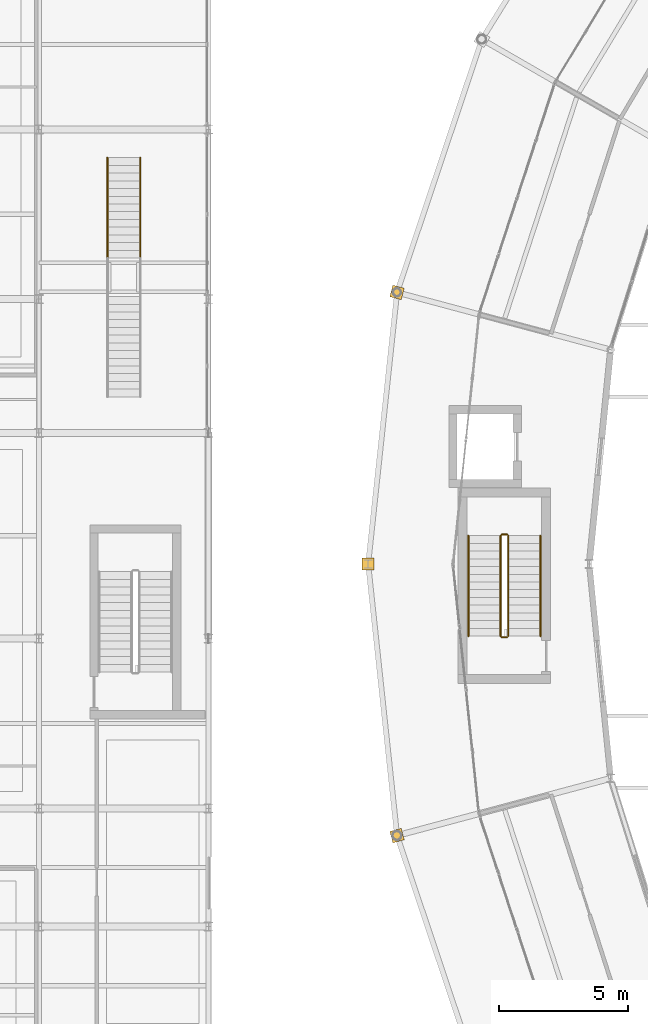
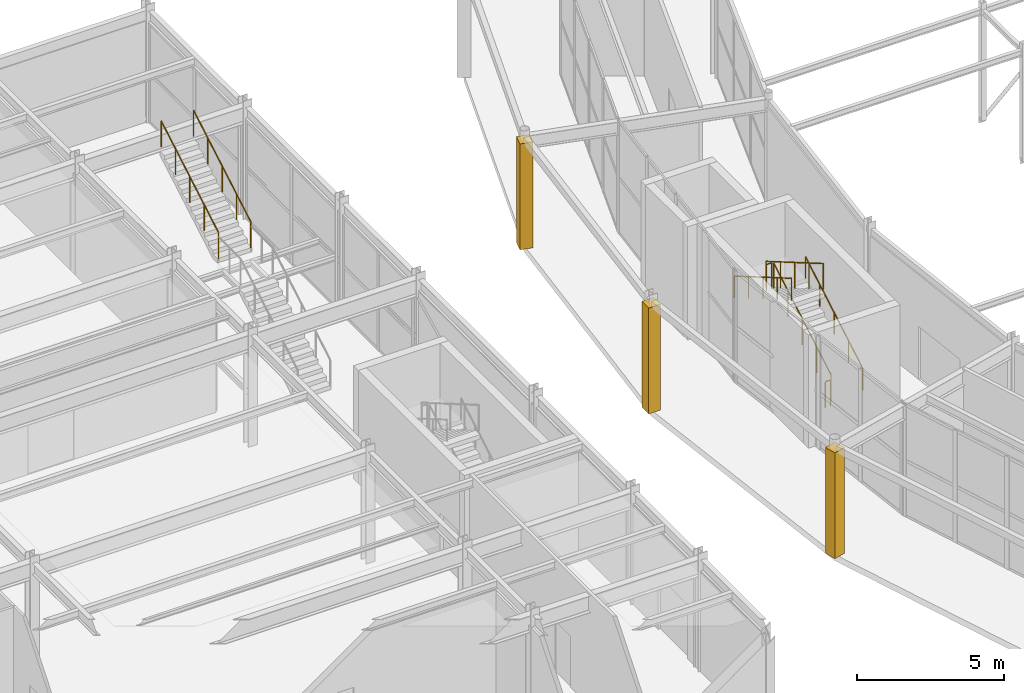
# One storey, part 136 of 144: 8 railings, 3 coverings.
"""IFC4 building model written with IfcOpenShell, lengths in metres."""

from ifc_helpers import new_model, si_unit, direction, frame, origin, origin_2d, place, context, subcontext, project, spatial, rectangle, circle, extrude, material, layer, layer_set, type_object, element, save


model = new_model("IFC4")

# Units and contexts
model_context = context("Model", 3, precision=1e-05, world=origin(), true_north=direction((0.0, 1.0)))
body_context = subcontext(model_context, "Body", "Model", "MODEL_VIEW")
ifc_project = project(units=[si_unit("LENGTHUNIT", "METRE"), si_unit("AREAUNIT", "SQUARE_METRE"), si_unit("VOLUMEUNIT", "CUBIC_METRE"), si_unit("PLANEANGLEUNIT", "RADIAN"), si_unit("MASSUNIT", "GRAM", prefix="KILO")], contexts=[model_context])

# Site, building, storey
site_placement = place(None, origin())
site = spatial("IfcSite", under=ifc_project, at=site_placement, CompositionType="ELEMENT")
building_placement = place(site_placement, origin())
building = spatial("IfcBuilding", under=site, at=building_placement, Name="Karori Crest Natural Sciences Institute", CompositionType="ELEMENT")
storey_placement = place(building_placement, origin())
storey = spatial("IfcBuildingStorey", under=building, at=storey_placement, Name="L00", CompositionType="ELEMENT", Elevation=0.0)

# Coverings
ifc_material_1 = material(Name="Glulam GL10 architectural column casing", Category="wood")
ifc_layer = layer(ifc_material_1, 0.044921875, Name="Glulam GL10 architectural column casing")
ifc_layer_set = layer_set([ifc_layer], Name="Glulam GL10 architectural column casing")
covering_type = type_object("IfcCoveringType", Name="CVT-GL10", PredefinedType="CLADDING", material=ifc_layer_set)
for number, where, z_axis, x_axis, name in (
    (1, (34.5244140625, 60.459716796875, 0.050048828125), (0.0, 0.0, 1.0), (-0.965925826289, 0.258819045103, 0.0), "Glulam GL10 column casing CL-0012"),
    (2, (33.39990234375, 49.89990234375, 0.050048828125), (0.0, 0.0, 1.0), (-1.0, 0.0, 0.0), "Glulam GL10 column casing CL-0013"),
    (3, (34.5244140625, 39.340087890625, 0.050048828125), (0.0, 0.0, 1.0), (-0.965925826289, -0.258819045103, 0.0), "Glulam GL10 column casing CL-0014"),
):
    element("IfcCovering", number, at=place(storey_placement, frame(where, z_axis=z_axis, x_axis=x_axis)), inside=storey, type_object=covering_type, Name=name, PredefinedType="CLADDING", context=body_context, shape_type="SweptSolid", body=[
        extrude(rectangle(XDim=0.4599609375, YDim=0.4599609375, at=origin_2d()), origin(), (0.0, 0.0, 1.0), 4.39990234375),
    ])

# Railings
ifc_material_2 = material(Name="Stainless steel 316 tubular handrail", Category="steel")
railing_type_1 = type_object("IfcRailingType", Name="RLT-HND", PredefinedType="HANDRAIL", material=ifc_material_2)
railing_1_placement = place(storey_placement, frame((40.10009765625, 47.10009765625, 0.175048828125)))
element("IfcRailing", 4, at=railing_1_placement, inside=storey, type_object=railing_type_1, Name="Stair handrail RL-0060", PredefinedType="HANDRAIL", context=body_context, shape_type="SweptSolid", body=[
    extrude(circle(Radius=0.02392578125, at=origin_2d()), frame((0.0, 0.0, 0.90087890625), z_axis=(0.0, 0.86378282336, 0.503864301244), x_axis=(-1.0, 0.0, 0.0)), (0.0, 0.0, 1.0), 4.514892578125),
    extrude(circle(Radius=0.02099609375, at=origin_2d()), origin(), (0.0, 0.0, 1.0), 0.876953125),
    extrude(circle(Radius=0.02099609375, at=origin_2d()), frame((0.0, 0.97509765625, 0.56884765625)), (0.0, 0.0, 1.0), 0.876953125),
    extrude(circle(Radius=0.02099609375, at=origin_2d()), frame((0.0, 1.949951171875, 1.137451171875)), (0.0, 0.0, 1.0), 0.876953125),
    extrude(circle(Radius=0.02099609375, at=origin_2d()), frame((0.0, 2.9248046875, 1.7060546875)), (0.0, 0.0, 1.0), 0.876953125),
    extrude(circle(Radius=0.02099609375, at=origin_2d()), frame((0.0, 3.89990234375, 2.27490234375)), (0.0, 0.0, 1.0), 0.876953125),
])
railing_2_placement = place(storey_placement, frame((37.300048828125, 51.0, 2.625)))
element("IfcRailing", 5, at=railing_2_placement, inside=storey, type_object=railing_type_1, Name="Stair handrail RL-0061", PredefinedType="HANDRAIL", context=body_context, shape_type="SweptSolid", body=[
    extrude(circle(Radius=0.02392578125, at=origin_2d()), frame((0.0, 0.0, 0.90087890625), z_axis=(0.0, -0.86378282336, 0.503864301244), x_axis=(1.0, 0.0, 0.0)), (0.0, 0.0, 1.0), 4.514892578125),
    extrude(circle(Radius=0.02099609375, at=origin_2d()), origin(), (0.0, 0.0, 1.0), 0.876953125),
    extrude(circle(Radius=0.02099609375, at=origin_2d()), frame((0.0, -0.97509765625, 0.56884765625)), (0.0, 0.0, 1.0), 0.876953125),
    extrude(circle(Radius=0.02099609375, at=origin_2d()), frame((0.0, -1.949951171875, 1.137451171875)), (0.0, 0.0, 1.0), 0.876953125),
    extrude(circle(Radius=0.02099609375, at=origin_2d()), frame((0.0, -2.9248046875, 1.7060546875)), (0.0, 0.0, 1.0), 0.876953125),
    extrude(circle(Radius=0.02099609375, at=origin_2d()), frame((0.0, -3.89990234375, 2.27490234375)), (0.0, 0.0, 1.0), 0.876953125),
])
ifc_material_3 = material(Name="Stainless steel 316 stair guard", Category="steel")
railing_type_2 = type_object("IfcRailingType", Name="RLT-STG", PredefinedType="GUARDRAIL", material=ifc_material_3)
railing_3_placement = place(storey_placement, frame((38.85009765625, 47.10009765625, 0.175048828125)))
element("IfcRailing", 6, at=railing_3_placement, inside=storey, type_object=railing_type_2, Name="Stair guard RL-0056", PredefinedType="GUARDRAIL", context=body_context, shape_type="SweptSolid", body=[
    extrude(circle(Radius=0.02392578125, at=origin_2d()), frame((0.0, 0.0, 1.076171875), z_axis=(0.0, 0.86378282336, 0.503864301244), x_axis=(-1.0, 0.0, 0.0)), (0.0, 0.0, 1.0), 4.514892578125),
    extrude(circle(Radius=0.02099609375, at=origin_2d()), origin(), (0.0, 0.0, 1.0), 1.052001953125),
    extrude(circle(Radius=0.02099609375, at=origin_2d()), frame((0.0, 0.97509765625, 0.56884765625)), (0.0, 0.0, 1.0), 1.052001953125),
    extrude(circle(Radius=0.02099609375, at=origin_2d()), frame((0.0, 1.949951171875, 1.137451171875)), (0.0, 0.0, 1.0), 1.052001953125),
    extrude(circle(Radius=0.02099609375, at=origin_2d()), frame((0.0, 2.9248046875, 1.7060546875)), (0.0, 0.0, 1.0), 1.052001953125),
    extrude(circle(Radius=0.02099609375, at=origin_2d()), frame((0.0, 3.89990234375, 2.27490234375)), (0.0, 0.0, 1.0), 1.052001953125),
])
railing_4_placement = place(storey_placement, frame((38.800048828125, 51.050048828125, 2.449951171875)))
element("IfcRailing", 7, at=railing_4_placement, inside=storey, type_object=railing_type_2, Name="Stair guard RL-0057", PredefinedType="GUARDRAIL", context=body_context, shape_type="SweptSolid", body=[
    extrude(circle(Radius=0.02392578125, at=origin_2d()), frame((0.0, 0.0, 1.076171875), z_axis=(-1.0, 0.0, 0.0), x_axis=(0.0, -1.0, 0.0)), (0.0, 0.0, 1.0), 0.199951171875),
    extrude(circle(Radius=0.02099609375, at=origin_2d()), origin(), (0.0, 0.0, 1.0), 1.052001953125),
    extrude(circle(Radius=0.02099609375, at=origin_2d()), frame((-0.199951171875, 0.0, 0.0)), (0.0, 0.0, 1.0), 1.052001953125),
])
railing_5_placement = place(storey_placement, frame((38.550048828125, 51.0, 2.625)))
element("IfcRailing", 8, at=railing_5_placement, inside=storey, type_object=railing_type_2, Name="Stair guard RL-0058", PredefinedType="GUARDRAIL", context=body_context, shape_type="SweptSolid", body=[
    extrude(circle(Radius=0.02392578125, at=origin_2d()), frame((0.0, 0.0, 1.076171875), z_axis=(0.0, -0.86378282336, 0.503864301244), x_axis=(1.0, 0.0, 0.0)), (0.0, 0.0, 1.0), 4.514892578125),
    extrude(circle(Radius=0.02099609375, at=origin_2d()), origin(), (0.0, 0.0, 1.0), 1.052001953125),
    extrude(circle(Radius=0.02099609375, at=origin_2d()), frame((0.0, -0.97509765625, 0.56884765625)), (0.0, 0.0, 1.0), 1.052001953125),
    extrude(circle(Radius=0.02099609375, at=origin_2d()), frame((0.0, -1.949951171875, 1.137451171875)), (0.0, 0.0, 1.0), 1.052001953125),
    extrude(circle(Radius=0.02099609375, at=origin_2d()), frame((0.0, -2.9248046875, 1.7060546875)), (0.0, 0.0, 1.0), 1.052001953125),
    extrude(circle(Radius=0.02099609375, at=origin_2d()), frame((0.0, -3.89990234375, 2.27490234375)), (0.0, 0.0, 1.0), 1.052001953125),
])
railing_6_placement = place(storey_placement, frame((38.800048828125, 47.050048828125, 0.0)))
element("IfcRailing", 9, at=railing_6_placement, inside=storey, type_object=railing_type_2, Name="Stair guard RL-0059", PredefinedType="GUARDRAIL", context=body_context, shape_type="SweptSolid", body=[
    extrude(circle(Radius=0.02392578125, at=origin_2d()), frame((0.0, 0.0, 1.076171875), z_axis=(-1.0, 0.0, 0.0), x_axis=(0.0, -1.0, 0.0)), (0.0, 0.0, 1.0), 0.199951171875),
    extrude(circle(Radius=0.02099609375, at=origin_2d()), origin(), (0.0, 0.0, 1.0), 1.052001953125),
    extrude(circle(Radius=0.02099609375, at=origin_2d()), frame((-0.199951171875, 0.0, 0.0)), (0.0, 0.0, 1.0), 1.052001953125),
])
for number, where, name in (
    (10, (23.264892578125, 61.800048828125, 2.625), "Feature stair guard RL-0409"),
    (11, (24.534912109375, 61.800048828125, 2.625), "Feature stair guard RL-0412"),
):
    element("IfcRailing", number, at=place(storey_placement, frame(where)), inside=storey, type_object=railing_type_2, Name=name, PredefinedType="GUARDRAIL", context=body_context, shape_type="SweptSolid", body=[
        extrude(circle(Radius=0.02392578125, at=origin_2d()), frame((0.0, 0.0, 1.076171875), z_axis=(0.0, 0.86378282336, 0.503864301244), x_axis=(-1.0, 0.0, 0.0)), (0.0, 0.0, 1.0), 4.514892578125),
        extrude(circle(Radius=0.02099609375, at=origin_2d()), origin(), (0.0, 0.0, 1.0), 1.052001953125),
        extrude(circle(Radius=0.02099609375, at=origin_2d()), frame((0.0, 0.97509765625, 0.56884765625)), (0.0, 0.0, 1.0), 1.052001953125),
        extrude(circle(Radius=0.02099609375, at=origin_2d()), frame((0.0, 1.949951171875, 1.137451171875)), (0.0, 0.0, 1.0), 1.052001953125),
        extrude(circle(Radius=0.02099609375, at=origin_2d()), frame((0.0, 2.9248046875, 1.7060546875)), (0.0, 0.0, 1.0), 1.052001953125),
        extrude(circle(Radius=0.02099609375, at=origin_2d()), frame((0.0, 3.89990234375, 2.27490234375)), (0.0, 0.0, 1.0), 1.052001953125),
    ])

save(model, "model.ifc")
